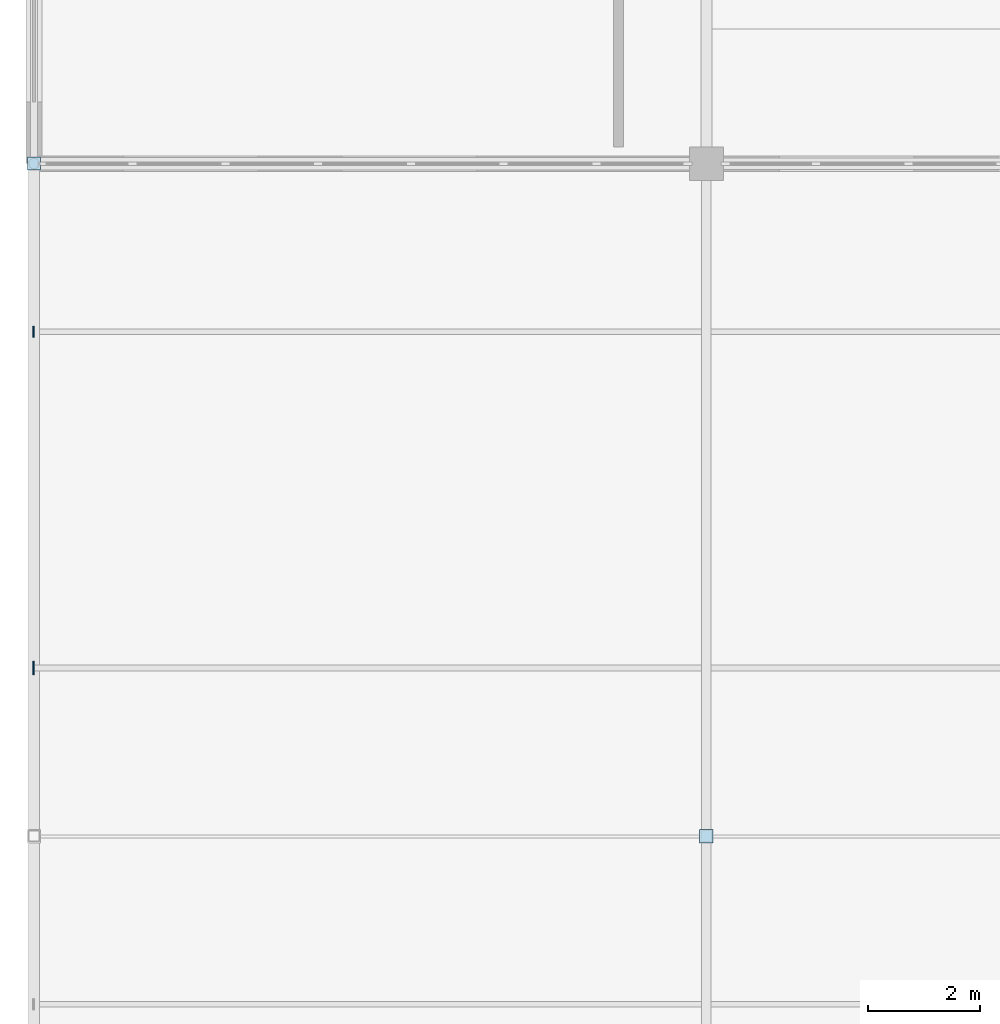
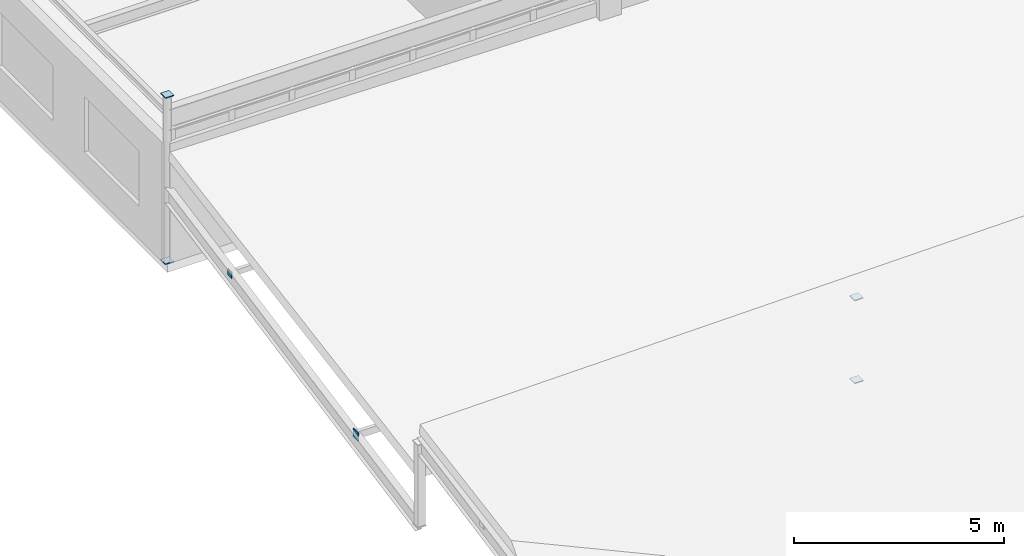
# One storey, part 158 of 226: 6 plates.
"""IFC4 building model written with IfcOpenShell, lengths in metres."""

from ifc_helpers import new_model, si_unit, direction, frame, origin, origin_2d, place, context, subcontext, project, spatial, rectangle, extrude, material, layer, layer_set, type_object, element, save


model = new_model("IFC4")

# Units and contexts
model_context = context("Model", 3, precision=1e-05, world=origin(), true_north=direction((0.0, 1.0)))
body_context = subcontext(model_context, "Body", "Model", "MODEL_VIEW")
ifc_project = project(units=[si_unit("LENGTHUNIT", "METRE"), si_unit("AREAUNIT", "SQUARE_METRE"), si_unit("VOLUMEUNIT", "CUBIC_METRE"), si_unit("PLANEANGLEUNIT", "RADIAN"), si_unit("MASSUNIT", "GRAM", prefix="KILO")], contexts=[model_context])

# Site, building, storey
site_placement = place(None, origin())
site = spatial("IfcSite", under=ifc_project, at=site_placement, CompositionType="ELEMENT")
building_placement = place(site_placement, origin())
building = spatial("IfcBuilding", under=site, at=building_placement, Name="Tarnwether General Hospital", CompositionType="ELEMENT")
storey_placement = place(building_placement, frame((0.0, 0.0, 4.800048828125)))
storey = spatial("IfcBuildingStorey", under=building, at=storey_placement, Name="L01", CompositionType="ELEMENT", Elevation=4.800048828125)

# Plates
ifc_material = material(Name="Steel Grade 350 (350 MPa)", Category="steel")
ifc_layer = layer(ifc_material, 0.02490234375)
ifc_layer_set = layer_set([ifc_layer], Name="Steel Grade 350 (350 MPa)")
plate_type = type_object("IfcPlateType", Name="PT-GUS2", PredefinedType="USERDEFINED", material=ifc_layer_set)
for number, where, z_axis, x_axis, name in (
    (1, (0.0, 45.60009765625, -0.02490234375), (0.0, 0.0, 1.0), (1.0, 0.0, 0.0), "Hollow Section Welded End Cap Plate 0005"),
    (2, (0.0, 45.60009765625, 4.800048828125), (0.0, 0.0, 1.0), (1.0, 0.0, 0.0), "Hollow Section Welded End Cap Plate 0006"),
):
    element("IfcPlate", number, at=place(storey_placement, frame(where, z_axis=z_axis, x_axis=x_axis)), inside=storey, type_object=plate_type, Name=name, ObjectType="GUSSET", PredefinedType="USERDEFINED", context=body_context, shape_type="SweptSolid", body=[
        extrude(rectangle(XDim=0.23388671875, YDim=0.23388671875, at=origin_2d()), origin(), (0.0, 0.0, 1.0), 0.02490234375),
    ])
for number, where, z_axis, x_axis, name in (
    (3, (12.0, 33.60009765625, -0.405029296875), (0.0, 0.0, 1.0), (1.0, 0.0, 0.0), "Hollow Section Welded End Cap Plate 1423"),
    (4, (12.0, 33.60009765625, 2.0), (0.0, 0.0, 1.0), (1.0, 0.0, 0.0), "Hollow Section Welded End Cap Plate 1424"),
):
    element("IfcPlate", number, at=place(storey_placement, frame(where, z_axis=z_axis, x_axis=x_axis)), inside=storey, type_object=plate_type, Name=name, ObjectType="GUSSET", PredefinedType="USERDEFINED", context=body_context, shape_type="SweptSolid", body=[
        extrude(rectangle(XDim=0.239990234375, YDim=0.239990234375, at=origin_2d()), origin(), (0.0, 0.0, 1.0), 0.02490234375),
    ])
plate_1_placement = place(storey_placement, frame((-0.012451171875, 36.60009765625, 0.27978515625), z_axis=(0.0, 0.0, 1.0), x_axis=(1.0, 0.0, 0.0)))
element("IfcPlate", 5, at=plate_1_placement, inside=storey, type_object=plate_type, Name="Hollow Section Welded End Cap Plate 1435", ObjectType="GUSSET", PredefinedType="USERDEFINED", context=body_context, shape_type="SweptSolid", body=[
    extrude(rectangle(XDim=0.02490234375, YDim=0.239990234375, at=origin_2d()), origin(), (0.0, 0.0, 1.0), 0.239990234375),
])
plate_2_placement = place(storey_placement, frame((-0.012451171875, 42.60009765625, 1.344970703125), z_axis=(0.0, 0.0, 1.0), x_axis=(1.0, 0.0, 0.0)))
element("IfcPlate", 6, at=plate_2_placement, inside=storey, type_object=plate_type, Name="Hollow Section Welded End Cap Plate 1437", ObjectType="GUSSET", PredefinedType="USERDEFINED", context=body_context, shape_type="SweptSolid", body=[
    extrude(rectangle(XDim=0.02490234375, YDim=0.18994140625, at=origin_2d()), origin(), (0.0, 0.0, 1.0), 0.18994140625),
])

save(model, "model.ifc")
